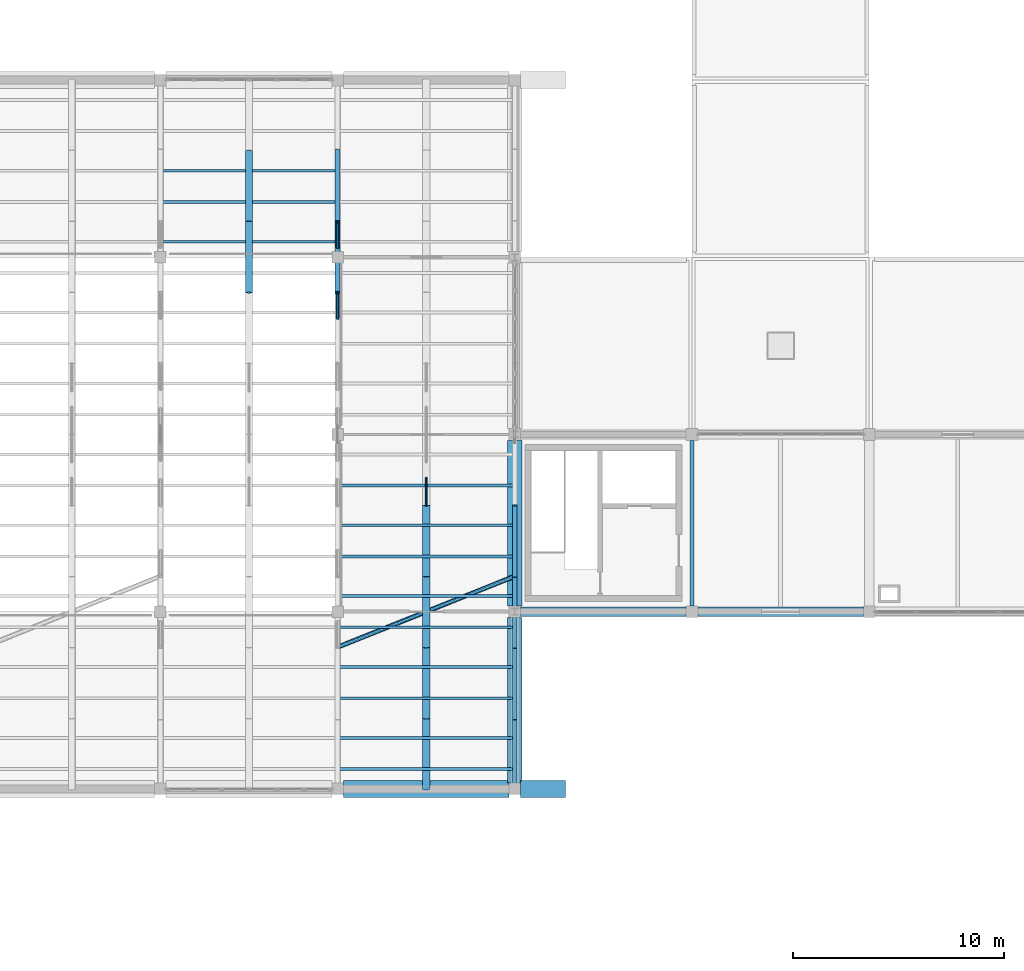
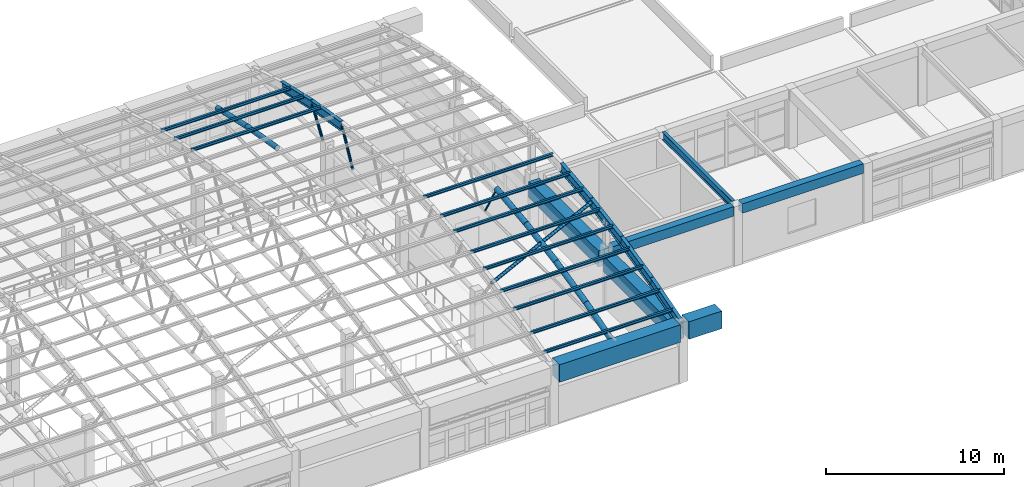
# One storey, part 20 of 74: 22 members, 13 beams.
"""IFC4 building model written with IfcOpenShell, lengths in metres."""

from ifc_helpers import new_model, si_unit, direction, frame, origin, origin_2d, place, context, subcontext, project, spatial, rectangle, hollow_circle, i_section, extrude, material, material_profile, profile_set, type_object, element, save


model = new_model("IFC4")

# Units and contexts
model_context = context("Model", 3, precision=1e-05, world=origin(), true_north=direction((0.0, 1.0)))
body_context = subcontext(model_context, "Body", "Model", "MODEL_VIEW")
ifc_project = project(units=[si_unit("LENGTHUNIT", "METRE"), si_unit("AREAUNIT", "SQUARE_METRE"), si_unit("VOLUMEUNIT", "CUBIC_METRE"), si_unit("PLANEANGLEUNIT", "RADIAN"), si_unit("MASSUNIT", "GRAM", prefix="KILO")], contexts=[model_context])

# Site, building, storey
site_placement = place(None, origin())
site = spatial("IfcSite", under=ifc_project, at=site_placement, CompositionType="ELEMENT")
building_placement = place(site_placement, origin())
building = spatial("IfcBuilding", under=site, at=building_placement, Name="Porcellanite Civic Hall", CompositionType="ELEMENT")
storey_placement = place(building_placement, frame((0.0, 0.0, 14.760009765625)))
storey = spatial("IfcBuildingStorey", under=building, at=storey_placement, Name="L03", CompositionType="ELEMENT", Elevation=14.760009765625)

# Members
ifc_material_1 = material(Name="Steel C350L0", Category="steel")
ifc_material_profile_1 = material_profile(ifc_material_1, hollow_circle(Radius=0.161865234375, WallThickness=0.010009765625, at=origin_2d()), Name="323.9x10.0CHS")
ifc_profile_set_1 = profile_set([ifc_material_profile_1], Name="Steel C350L0")
member_type_1 = type_object("IfcMemberType", Name="ARCH-324CHS", PredefinedType="RAFTER", material=ifc_profile_set_1)
member_1_placement = place(storey_placement, frame((96.60009765625, 65.52001953125, 6.04931640625), z_axis=(0.0, 0.985992126332, -0.166791866742), x_axis=(-1.0, 0.0, 0.0)))
element("IfcMember", 1, at=member_1_placement, inside=storey, type_object=member_type_1, Name="Chamber secondary arch segment 11 8", PredefinedType="RAFTER", context=body_context, shape_type="SweptSolid", body=[
    extrude(hollow_circle(Radius=0.161865234375, WallThickness=0.010009765625, at=origin_2d()), origin(), (0.0, 0.0, 1.0), 3.40771484375),
])
member_2_placement = place(storey_placement, frame((96.60009765625, 68.8798828125, 5.47509765625), z_axis=(0.0, 0.975147469677, -0.221556792682), x_axis=(-1.0, 0.0, 0.0)))
element("IfcMember", 2, at=member_2_placement, inside=storey, type_object=member_type_1, Name="Chamber secondary arch segment 11 9", PredefinedType="RAFTER", context=body_context, shape_type="SweptSolid", body=[
    extrude(hollow_circle(Radius=0.161865234375, WallThickness=0.010009765625, at=origin_2d()), origin(), (0.0, 0.0, 1.0), 3.44580078125),
])
ifc_material_2 = material(Name="Steel C350L0", Category="steel")
ifc_material_profile_2 = material_profile(ifc_material_2, hollow_circle(Radius=0.177734375, WallThickness=0.0126953125, at=origin_2d()), Name="355.6x12.7CHS")
ifc_profile_set_2 = profile_set([ifc_material_profile_2], Name="Steel C350L0")
member_type_2 = type_object("IfcMemberType", Name="ARCH-355CHS", PredefinedType="RAFTER", material=ifc_profile_set_2)
member_3_placement = place(storey_placement, frame((105.0, 42.0, 3.725830078125), z_axis=(0.0, 0.961270518067, 0.275606587539), x_axis=(-1.0, 0.0, 0.0)))
element("IfcMember", 3, at=member_3_placement, inside=storey, type_object=member_type_2, Name="Chamber secondary arch segment 12 1", PredefinedType="RAFTER", context=body_context, shape_type="SweptSolid", body=[
    extrude(hollow_circle(Radius=0.177734375, WallThickness=0.0126953125, at=origin_2d()), origin(), (0.0, 0.0, 1.0), 3.49560546875),
])
member_4_placement = place(storey_placement, frame((105.0, 45.360107421875, 4.69580078125), z_axis=(0.0, 0.975143991334, 0.221572101504), x_axis=(-1.0, 0.0, 0.0)))
element("IfcMember", 4, at=member_4_placement, inside=storey, type_object=member_type_2, Name="Chamber secondary arch segment 12 2", PredefinedType="RAFTER", context=body_context, shape_type="SweptSolid", body=[
    extrude(hollow_circle(Radius=0.177734375, WallThickness=0.0126953125, at=origin_2d()), origin(), (0.0, 0.0, 1.0), 3.445556640625),
])
member_5_placement = place(storey_placement, frame((105.0, 48.719970703125, 5.465087890625), z_axis=(0.0, 0.985994119278, 0.166780084987), x_axis=(-1.0, 0.0, 0.0)))
element("IfcMember", 5, at=member_5_placement, inside=storey, type_object=member_type_2, Name="Chamber secondary arch segment 12 3", PredefinedType="RAFTER", context=body_context, shape_type="SweptSolid", body=[
    extrude(hollow_circle(Radius=0.177734375, WallThickness=0.0126953125, at=origin_2d()), origin(), (0.0, 0.0, 1.0), 3.407958984375),
])
member_6_placement = place(storey_placement, frame((105.0, 52.080078125, 6.03857421875), z_axis=(0.0, 0.993765164221, 0.111493490304), x_axis=(-1.0, 0.0, 0.0)))
element("IfcMember", 6, at=member_6_placement, inside=storey, type_object=member_type_2, Name="Chamber secondary arch segment 12 4", PredefinedType="RAFTER", context=body_context, shape_type="SweptSolid", body=[
    extrude(hollow_circle(Radius=0.177734375, WallThickness=0.0126953125, at=origin_2d()), origin(), (0.0, 0.0, 1.0), 3.380859375),
])

# Beams
ifc_material_3 = material(Name="Concrete N50 (50 MPa)", Category="concrete")
ifc_material_profile_3 = material_profile(ifc_material_3, rectangle(XDim=0.449951171875, YDim=0.64990234375, at=origin_2d()), Name="RC-450x650")
ifc_profile_set_3 = profile_set([ifc_material_profile_3], Name="Concrete N50 (50 MPa)")
beam_type_1 = type_object("IfcBeamType", Name="BM-RC650", PredefinedType="SPANDREL", material=ifc_profile_set_3)
beam_1_placement = place(storey_placement, frame((109.474609375, 50.39990234375, 3.744873046875), z_axis=(1.0, 0.0, 0.0), x_axis=(0.0, 1.0, 0.0)))
element("IfcBeam", 7, at=beam_1_placement, inside=storey, type_object=beam_type_1, Name="Beam X L03 14-7", PredefinedType="SPANDREL", context=body_context, shape_type="SweptSolid", body=[
    extrude(rectangle(XDim=0.449951171875, YDim=0.64990234375, at=origin_2d()), origin(), (0.0, 0.0, 1.0), 7.850830078125),
])
beam_2_placement = place(storey_placement, frame((117.87451171875, 50.39990234375, 3.744873046875), z_axis=(1.0, 0.0, 0.0), x_axis=(0.0, 1.0, 0.0)))
element("IfcBeam", 8, at=beam_2_placement, inside=storey, type_object=beam_type_1, Name="Beam X L03 15-7", PredefinedType="SPANDREL", context=body_context, shape_type="SweptSolid", body=[
    extrude(rectangle(XDim=0.449951171875, YDim=0.64990234375, at=origin_2d()), origin(), (0.0, 0.0, 1.0), 7.85107421875),
])

# Members
ifc_material_4 = material(Name="Steel C350L0", Category="steel")
ifc_material_profile_4 = material_profile(ifc_material_4, hollow_circle(Radius=0.05712890625, WallThickness=0.006103515625, at=origin_2d()), Name="114.3x6.0CHS")
ifc_profile_set_4 = profile_set([ifc_material_profile_4], Name="Steel C350L0")
member_type_3 = type_object("IfcMemberType", Name="BRC-114CHS", PredefinedType="BRACE", material=ifc_profile_set_4)
member_7_placement = place(storey_placement, frame((105.0, 56.739990234375, 4.11474609375), z_axis=(0.0, -0.490720574749, 0.871317001738), x_axis=(1.0, 0.0, 0.0)))
element("IfcMember", 9, at=member_7_placement, inside=storey, type_object=member_type_3, Name="Chamber secondary arch web 12-1", PredefinedType="BRACE", context=body_context, shape_type="SweptSolid", body=[
    extrude(hollow_circle(Radius=0.05712890625, WallThickness=0.006103515625, at=origin_2d()), origin(), (0.0, 0.0, 1.0), 2.649169921875),
])
ifc_material_5 = material(Name="Steel C350L0", Category="steel")
ifc_material_profile_5 = material_profile(ifc_material_5, hollow_circle(Radius=0.084228515625, WallThickness=0.007080078125, at=origin_2d()), Name="168.3x7.1CHS")
ifc_profile_set_5 = profile_set([ifc_material_profile_5], Name="Steel C350L0")
member_type_4 = type_object("IfcMemberType", Name="BRC-168CHS", PredefinedType="BRACE", material=ifc_profile_set_5)
member_8_placement = place(storey_placement, frame((100.800048828125, 64.320068359375, 3.787841796875), z_axis=(0.0, 0.463316465702, 0.886192898081), x_axis=(-1.0, 0.0, 0.0)))
element("IfcMember", 10, at=member_8_placement, inside=storey, type_object=member_type_4, Name="Chamber arch web 12-7", PredefinedType="BRACE", context=body_context, shape_type="SweptSolid", body=[
    extrude(hollow_circle(Radius=0.084228515625, WallThickness=0.007080078125, at=origin_2d()), origin(), (0.0, 0.0, 1.0), 2.58984375),
])
member_9_placement = place(storey_placement, frame((100.800048828125, 67.679931640625, 3.787841796875), z_axis=(0.0, 0.570645999694, 0.821196165988), x_axis=(-1.0, 0.0, 0.0)))
element("IfcMember", 11, at=member_9_placement, inside=storey, type_object=member_type_4, Name="Chamber arch web 12-8", PredefinedType="BRACE", context=body_context, shape_type="SweptSolid", body=[
    extrude(hollow_circle(Radius=0.084228515625, WallThickness=0.007080078125, at=origin_2d()), origin(), (0.0, 0.0, 1.0), 2.102783203125),
])
ifc_material_6 = material(Name="Steel C350L0", Category="steel")
ifc_material_profile_6 = material_profile(ifc_material_6, hollow_circle(Radius=0.109619140625, WallThickness=0.00830078125, at=origin_2d()), Name="219.1x8.2CHS")
ifc_profile_set_6 = profile_set([ifc_material_profile_6], Name="Steel C350L0")
member_type_5 = type_object("IfcMemberType", Name="BRC-219CHS", PredefinedType="BRACE", material=ifc_profile_set_6)
member_10_placement = place(storey_placement, frame((100.806884765625, 48.719970703125, 5.5146484375), z_axis=(0.926430707622, 0.371192600553, 0.062786919573), x_axis=(-0.371926428165, 0.928262210818, 0.0)))
element("IfcMember", 12, at=member_10_placement, inside=storey, type_object=member_type_5, Name="Chamber shell wind brace 12", PredefinedType="BRACE", context=body_context, shape_type="SweptSolid", body=[
    extrude(hollow_circle(Radius=0.109619140625, WallThickness=0.00830078125, at=origin_2d()), origin(), (0.0, 0.0, 1.0), 9.05224609375),
])

# Beams
ifc_material_7 = material(Name="Concrete N50 (50 MPa)", Category="concrete")
ifc_material_profile_7 = material_profile(ifc_material_7, rectangle(XDim=0.800048828125, YDim=1.199951171875, at=origin_2d()), Name="RC-800x1200")
ifc_profile_set_7 = profile_set([ifc_material_profile_7], Name="Concrete N50 (50 MPa)")
beam_type_2 = type_object("IfcBeamType", Name="EB-CH1", PredefinedType="SPANDREL", material=ifc_profile_set_7)
beam_3_placement = place(storey_placement, frame((101.074462890625, 42.0, 3.524658203125), z_axis=(1.0, 0.0, 0.0), x_axis=(0.0, 1.0, 0.0)))
element("IfcBeam", 13, at=beam_3_placement, inside=storey, type_object=beam_type_2, Name="Chamber visible shell edge beam S 12", PredefinedType="SPANDREL", context=body_context, shape_type="SweptSolid", body=[
    extrude(rectangle(XDim=0.800048828125, YDim=1.199951171875, at=origin_2d()), origin(), (0.0, 0.0, 1.0), 7.85107421875),
])
beam_4_placement = place(storey_placement, frame((109.474609375, 42.0, 3.524658203125), z_axis=(1.0, 0.0, 0.0), x_axis=(0.0, 1.0, 0.0)))
element("IfcBeam", 14, at=beam_4_placement, inside=storey, type_object=beam_type_2, Name="Chamber cantilevered shell edge beam E S", PredefinedType="SPANDREL", context=body_context, shape_type="SweptSolid", body=[
    extrude(rectangle(XDim=0.800048828125, YDim=1.199951171875, at=origin_2d()), origin(), (0.0, 0.0, 1.0), 2.12548828125),
])
ifc_material_8 = material(Name="Concrete N50 (50 MPa)", Category="concrete")
ifc_material_profile_8 = material_profile(ifc_material_8, rectangle(XDim=0.699951171875, YDim=1.10009765625, at=origin_2d()), Name="RC-700x1100")
ifc_profile_set_8 = profile_set([ifc_material_profile_8], Name="Concrete N50 (50 MPa)")
beam_type_3 = type_object("IfcBeamType", Name="EB-CH2", PredefinedType="BEAM", material=ifc_profile_set_8)
beam_5_placement = place(storey_placement, frame((109.199951171875, 42.2744140625, 3.144775390625), z_axis=(0.0, 1.0, 0.0), x_axis=(-1.0, 0.0, 0.0)))
element("IfcBeam", 15, at=beam_5_placement, inside=storey, type_object=beam_type_3, Name="Chamber end ring beam E 5", PredefinedType="BEAM", context=body_context, shape_type="SweptSolid", body=[
    extrude(rectangle(XDim=0.699951171875, YDim=1.10009765625, at=origin_2d()), origin(), (0.0, 0.0, 1.0), 7.85107421875),
])
beam_6_placement = place(storey_placement, frame((109.199951171875, 50.674560546875, 3.144775390625), z_axis=(0.0, 1.0, 0.0), x_axis=(-1.0, 0.0, 0.0)))
element("IfcBeam", 16, at=beam_6_placement, inside=storey, type_object=beam_type_3, Name="Chamber end ring beam E 6", PredefinedType="BEAM", context=body_context, shape_type="SweptSolid", body=[
    extrude(rectangle(XDim=0.699951171875, YDim=1.10009765625, at=origin_2d()), origin(), (0.0, 0.0, 1.0), 7.850830078125),
])

# Members
ifc_material_9 = material(Name="Steel Grade 350", Category="steel")
ifc_material_profile_9 = material_profile(ifc_material_9, i_section(OverallWidth=0.133056640625, OverallDepth=0.202880859375, WebThickness=0.005859375, FlangeThickness=0.0078125, FilletRadius=0.0087890625, at=origin_2d()), Name="200UB25.4")
ifc_profile_set_9 = profile_set([ifc_material_profile_9], Name="Steel Grade 350")
member_type_6 = type_object("IfcMemberType", Name="PUR-200UB25", PredefinedType="PURLIN", material=ifc_profile_set_9)
for number, where, z_axis, x_axis, name in (
    (17, (92.406494140625, 67.939208984375, 5.902587890625), (1.0, 0.0, 0.0), (0.0, 1.0, 0.0), "Chamber shell purlin 11 8B"),
    (18, (92.406494140625, 69.82080078125, 5.523681640625), (1.0, 0.0, 0.0), (0.0, 1.0, 0.0), "Chamber shell purlin 11 9A"),
    (19, (92.406494140625, 71.29931640625, 5.18798828125), (1.0, 0.0, 0.0), (0.0, 1.0, 0.0), "Chamber shell purlin 11 9B"),
):
    element("IfcMember", number, at=place(storey_placement, frame(where, z_axis=z_axis, x_axis=x_axis)), inside=storey, type_object=member_type_6, Name=name, PredefinedType="PURLIN", context=body_context, shape_type="SweptSolid", body=[
        extrude(i_section(OverallWidth=0.133056640625, OverallDepth=0.202880859375, WebThickness=0.005859375, FlangeThickness=0.0078125, FilletRadius=0.0087890625, at=origin_2d()), origin(), (0.0, 0.0, 1.0), 8.386962890625),
    ])
for number, where, z_axis, x_axis, name in (
    (20, (100.806396484375, 42.94091796875, 4.273681640625), (1.0, 0.0, 0.0), (0.0, 1.0, 0.0), "Chamber shell purlin 12 1A"),
    (21, (100.806396484375, 44.419189453125, 4.69775390625), (1.0, 0.0, 0.0), (0.0, 1.0, 0.0), "Chamber shell purlin 12 1B"),
    (22, (100.806396484375, 46.30078125, 5.18798828125), (1.0, 0.0, 0.0), (0.0, 1.0, 0.0), "Chamber shell purlin 12 2A"),
    (23, (100.806396484375, 47.779296875, 5.523681640625), (1.0, 0.0, 0.0), (0.0, 1.0, 0.0), "Chamber shell purlin 12 2B"),
    (24, (100.806396484375, 49.660888671875, 5.902587890625), (1.0, 0.0, 0.0), (0.0, 1.0, 0.0), "Chamber shell purlin 12 3A"),
    (25, (100.806396484375, 51.13916015625, 6.152587890625), (1.0, 0.0, 0.0), (0.0, 1.0, 0.0), "Chamber shell purlin 12 3B"),
    (26, (100.806396484375, 53.020751953125, 6.422607421875), (1.0, 0.0, 0.0), (0.0, 1.0, 0.0), "Chamber shell purlin 12 4A"),
    (27, (100.806396484375, 54.499267578125, 6.58837890625), (1.0, 0.0, 0.0), (0.0, 1.0, 0.0), "Chamber shell purlin 12 4B"),
    (28, (100.806396484375, 56.380859375, 6.7509765625), (1.0, 0.0, 0.0), (0.0, 1.0, 0.0), "Chamber shell purlin 12 5A"),
):
    element("IfcMember", number, at=place(storey_placement, frame(where, z_axis=z_axis, x_axis=x_axis)), inside=storey, type_object=member_type_6, Name=name, PredefinedType="PURLIN", context=body_context, shape_type="SweptSolid", body=[
        extrude(i_section(OverallWidth=0.133056640625, OverallDepth=0.202880859375, WebThickness=0.005859375, FlangeThickness=0.0078125, FilletRadius=0.0087890625, at=origin_2d()), origin(), (0.0, 0.0, 1.0), 8.38720703125),
    ])

# Beams
ifc_material_10 = material(Name="Steel Grade 350", Category="steel")
ifc_material_profile_10 = material_profile(ifc_material_10, i_section(OverallWidth=0.208984375, OverallDepth=0.528076171875, WebThickness=0.009521484375, FlangeThickness=0.01318359375, FilletRadius=0.013916015625, at=origin_2d()), Name="530UB82.0")
ifc_profile_set_10 = profile_set([ifc_material_profile_10], Name="Steel Grade 350")
beam_type_4 = type_object("IfcBeamType", Name="RAF-530UB82", PredefinedType="BEAM", material=ifc_profile_set_10)
beam_7_placement = place(storey_placement, frame((117.60009765625, 50.674560546875, 3.805908203125), z_axis=(0.0, 1.0, 0.0), x_axis=(-1.0, 0.0, 0.0)))
element("IfcBeam", 29, at=beam_7_placement, inside=storey, type_object=beam_type_4, Name="Beam Y L03 15-7", PredefinedType="BEAM", context=body_context, shape_type="SweptSolid", body=[
    extrude(i_section(OverallWidth=0.208984375, OverallDepth=0.528076171875, WebThickness=0.009521484375, FlangeThickness=0.01318359375, FilletRadius=0.013916015625, at=origin_2d()), origin(), (0.0, 0.0, 1.0), 7.850830078125),
])
ifc_material_11 = material(Name="Steel Grade 350", Category="steel")
ifc_material_profile_11 = material_profile(ifc_material_11, i_section(OverallWidth=0.22900390625, OverallDepth=0.612060546875, WebThickness=0.011962890625, FlangeThickness=0.01953125, FilletRadius=0.013916015625, at=origin_2d()), Name="610UB125")
ifc_profile_set_11 = profile_set([ifc_material_profile_11], Name="Steel Grade 350")
beam_type_5 = type_object("IfcBeamType", Name="RIB-610UB125", PredefinedType="BEAM", material=ifc_profile_set_11)
beam_8_placement = place(storey_placement, frame((100.800048828125, 65.52001953125, 6.0830078125), z_axis=(0.0, 0.985992126332, -0.166791866742), x_axis=(-1.0, 0.0, 0.0)))
element("IfcBeam", 30, at=beam_8_placement, inside=storey, type_object=beam_type_5, Name="Chamber steel arch rib 12 seg 8", PredefinedType="BEAM", context=body_context, shape_type="SweptSolid", body=[
    extrude(i_section(OverallWidth=0.22900390625, OverallDepth=0.612060546875, WebThickness=0.011962890625, FlangeThickness=0.01953125, FilletRadius=0.013916015625, at=origin_2d()), origin(), (0.0, 0.0, 1.0), 3.40771484375),
])
beam_9_placement = place(storey_placement, frame((100.800048828125, 68.8798828125, 5.5146484375), z_axis=(0.0, 0.975162775381, -0.22148941625), x_axis=(-1.0, 0.0, 0.0)))
element("IfcBeam", 31, at=beam_9_placement, inside=storey, type_object=beam_type_5, Name="Chamber steel arch rib 12 seg 9", PredefinedType="BEAM", context=body_context, shape_type="SweptSolid", body=[
    extrude(i_section(OverallWidth=0.22900390625, OverallDepth=0.612060546875, WebThickness=0.011962890625, FlangeThickness=0.01953125, FilletRadius=0.013916015625, at=origin_2d()), origin(), (0.0, 0.0, 1.0), 3.44580078125),
])
beam_10_placement = place(storey_placement, frame((109.199951171875, 42.0, 3.787841796875), z_axis=(0.0, 0.961252012167, 0.275671124902), x_axis=(-1.0, 0.0, 0.0)))
element("IfcBeam", 32, at=beam_10_placement, inside=storey, type_object=beam_type_5, Name="Chamber steel arch rib 13 seg 1", PredefinedType="BEAM", context=body_context, shape_type="SweptSolid", body=[
    extrude(i_section(OverallWidth=0.22900390625, OverallDepth=0.612060546875, WebThickness=0.011962890625, FlangeThickness=0.01953125, FilletRadius=0.013916015625, at=origin_2d()), origin(), (0.0, 0.0, 1.0), 3.49560546875),
])
beam_11_placement = place(storey_placement, frame((109.199951171875, 45.360107421875, 4.75146484375), z_axis=(0.0, 0.9751592991, 0.221504720897), x_axis=(-1.0, 0.0, 0.0)))
element("IfcBeam", 33, at=beam_11_placement, inside=storey, type_object=beam_type_5, Name="Chamber steel arch rib 13 seg 2", PredefinedType="BEAM", context=body_context, shape_type="SweptSolid", body=[
    extrude(i_section(OverallWidth=0.22900390625, OverallDepth=0.612060546875, WebThickness=0.011962890625, FlangeThickness=0.01953125, FilletRadius=0.013916015625, at=origin_2d()), origin(), (0.0, 0.0, 1.0), 3.445556640625),
])
beam_12_placement = place(storey_placement, frame((109.199951171875, 48.719970703125, 5.5146484375), z_axis=(0.0, 0.985994119278, 0.166780084987), x_axis=(-1.0, 0.0, 0.0)))
element("IfcBeam", 34, at=beam_12_placement, inside=storey, type_object=beam_type_5, Name="Chamber steel arch rib 13 seg 3", PredefinedType="BEAM", context=body_context, shape_type="SweptSolid", body=[
    extrude(i_section(OverallWidth=0.22900390625, OverallDepth=0.612060546875, WebThickness=0.011962890625, FlangeThickness=0.01953125, FilletRadius=0.013916015625, at=origin_2d()), origin(), (0.0, 0.0, 1.0), 3.407958984375),
])
beam_13_placement = place(storey_placement, frame((109.199951171875, 52.080078125, 6.0830078125), z_axis=(0.0, 0.993765164221, 0.111493490304), x_axis=(-1.0, 0.0, 0.0)))
element("IfcBeam", 35, at=beam_13_placement, inside=storey, type_object=beam_type_5, Name="Chamber steel arch rib 13 seg 4", PredefinedType="BEAM", context=body_context, shape_type="SweptSolid", body=[
    extrude(i_section(OverallWidth=0.22900390625, OverallDepth=0.612060546875, WebThickness=0.011962890625, FlangeThickness=0.01953125, FilletRadius=0.013916015625, at=origin_2d()), origin(), (0.0, 0.0, 1.0), 3.380859375),
])

save(model, "model.ifc")
